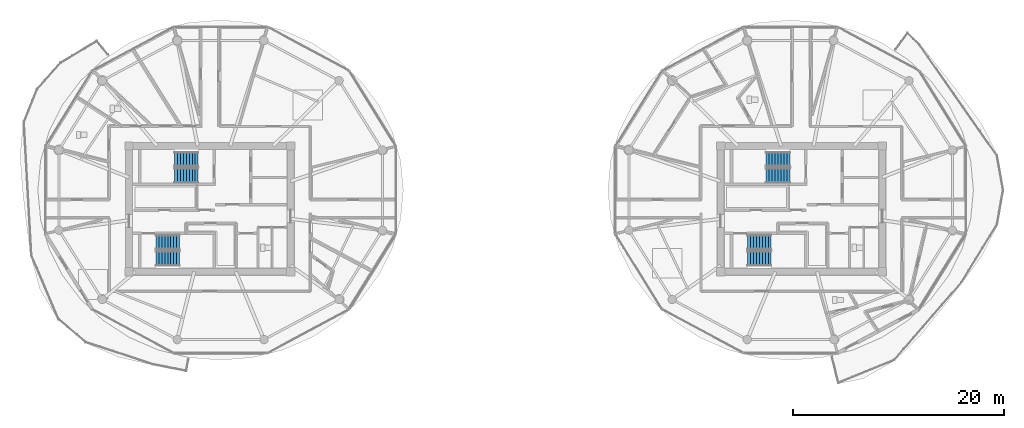
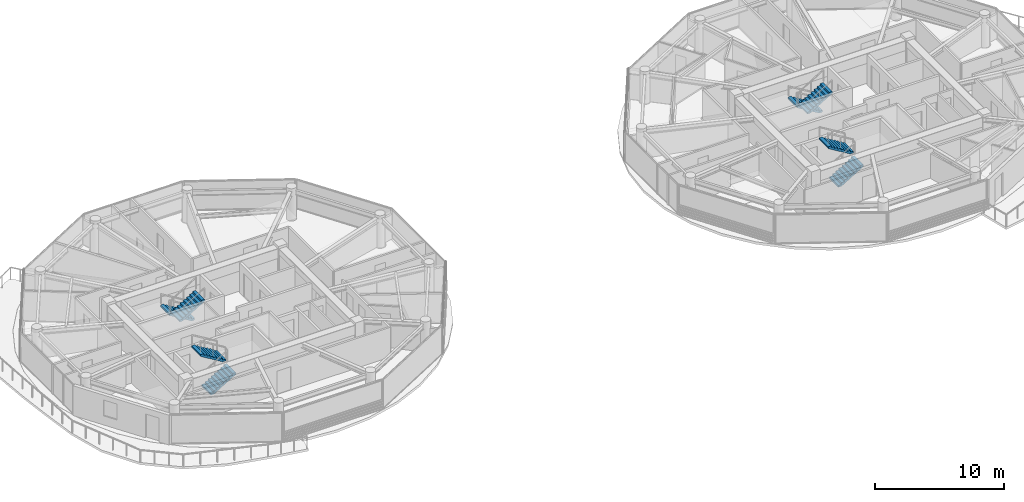
# One storey, part 18 of 25: 8 stair flights, 4 elements without a shape of their own.
"""IFC4 building model written with IfcOpenShell, lengths in metres."""

import ifcopenshell
import ifcopenshell.guid

model = None  # the IFC model being written
_history = None  # IfcOwnerHistory: only IFC2X3 demands one
_inside = {}  # id of a spatial element -> (the spatial element, [elements in it])
_under = {}  # id of a project, library or spatial element -> (it, [spatial elements below it])
_declared = {}  # id of a project -> (the project, [libraries it declares])
_typed = {}  # id of a type object -> (the type object, [elements of that type])
_made_of = {}  # id of a material, layer set ... -> (it, [elements and type objects made of it])


def new_model(schema):
    """Start an empty IFC model of exactly this schema.

    Asked for "IFC4X3", IfcOpenShell would pick the latest addendum, in which some entities
    have other attributes; the version numbers below select the first issue.
    IFC2X3 requires an IfcOwnerHistory on every rooted entity: one is made here for all.
    """
    global model, _history
    if schema == "IFC4X3":
        model = ifcopenshell.file(schema_version=(4, 3, 0, 0))
    else:
        model = ifcopenshell.file(schema=schema)
    _inside.clear()
    _under.clear()
    _declared.clear()
    _typed.clear()
    _made_of.clear()
    _history = None
    if model.schema == "IFC2X3":
        org = make("IfcOrganization", Name="unknown")
        user = make(
            "IfcPersonAndOrganization",
            ThePerson=make("IfcPerson", FamilyName="unknown"),
            TheOrganization=org,
        )
        app = make(
            "IfcApplication",
            ApplicationDeveloper=org,
            Version="unknown",
            ApplicationFullName="unknown",
            ApplicationIdentifier="unknown",
        )
        _history = make(
            "IfcOwnerHistory",
            OwningUser=user,
            OwningApplication=app,
            ChangeAction="ADDED",
            CreationDate=0,
        )
    return model


def make(cls, **values):
    """One entity of the class cls with the attributes given. An attribute that is None is left unset."""
    return model.create_entity(
        cls, **{name: value for name, value in values.items() if value is not None}
    )


def rooted(cls, **values):
    """An entity with a GlobalId (a new one), such as an element, a storey or a relation."""
    return make(cls, GlobalId=ifcopenshell.guid.new(), OwnerHistory=_history, **values)


def si_unit(unit_type, name, prefix=None):
    """IfcSIUnit, for example si_unit("LENGTHUNIT", "METRE", prefix="MILLI")."""
    return make("IfcSIUnit", UnitType=unit_type, Prefix=prefix, Name=name)


def assignment(units):
    """IfcUnitAssignment: the units of a project."""
    return None if units is None else make("IfcUnitAssignment", Units=units)


def point(xyz):
    """IfcCartesianPoint."""
    return None if xyz is None else make("IfcCartesianPoint", Coordinates=xyz)


def direction(xyz):
    """IfcDirection."""
    return None if xyz is None else make("IfcDirection", DirectionRatios=xyz)


def frame(location, z_axis=None, x_axis=None):
    """IfcAxis2Placement3D, a coordinate frame: its origin and axes. An axis left out is left unset."""
    return make(
        "IfcAxis2Placement3D",
        Location=point(location),
        Axis=direction(z_axis),
        RefDirection=direction(x_axis),
    )


def origin():
    """The frame at (0, 0, 0) with its axes left unset."""
    return frame((0.0, 0.0, 0.0))


def place(relative_to, where):
    """IfcLocalPlacement: puts the frame where relative to a parent placement (None: the world)."""
    return make(
        "IfcLocalPlacement", PlacementRelTo=relative_to, RelativePlacement=where
    )


def context(
    kind, dimensions, precision=None, world=None, true_north=None, identifier=None
):
    """IfcGeometricRepresentationContext, for example the 3D "Model" context."""
    return make(
        "IfcGeometricRepresentationContext",
        ContextIdentifier=identifier,
        ContextType=kind,
        CoordinateSpaceDimension=dimensions,
        Precision=precision,
        WorldCoordinateSystem=world,
        TrueNorth=true_north,
    )


def subcontext(parent, identifier, kind, view, scale=None):
    """IfcGeometricRepresentationSubContext, for example "Body" below "Model"."""
    return make(
        "IfcGeometricRepresentationSubContext",
        ContextIdentifier=identifier,
        ContextType=kind,
        ParentContext=parent,
        TargetScale=scale,
        TargetView=view,
    )


def project(units=None, contexts=None):
    """IfcProject with its units and contexts."""
    return rooted(
        "IfcProject",
        Name="project",
        RepresentationContexts=contexts,
        UnitsInContext=assignment(units),
    )


def spatial(cls, under=None, at=None, **own):
    """A site, building, storey or space (cls), placed at a placement, below another one or the project."""
    s = rooted(cls, ObjectPlacement=at, **own)
    if under is not None:
        _under.setdefault(under.id(), (under, []))[1].append(s)
    return s


def polyline(points):
    """IfcPolyline through the points."""
    return make("IfcPolyline", Points=[point(p) for p in points])


def outline(outer, holes=None, kind="AREA"):
    """IfcArbitraryClosedProfileDef: a profile drawn as a closed curve; with holes, ...WithVoids."""
    if holes is None:
        return make("IfcArbitraryClosedProfileDef", ProfileType=kind, OuterCurve=outer)
    return make(
        "IfcArbitraryProfileDefWithVoids",
        ProfileType=kind,
        OuterCurve=outer,
        InnerCurves=holes,
    )


def extrude(swept, where, along, depth):
    """IfcExtrudedAreaSolid: the profile swept, set in the frame where, extruded along a direction by depth."""
    return make(
        "IfcExtrudedAreaSolid",
        SweptArea=swept,
        Position=where,
        ExtrudedDirection=direction(along),
        Depth=depth,
    )


def shape(context_of_items, identifier, shape_type, items):
    """IfcShapeRepresentation: the items that make up one representation, for example the "Body"."""
    return make(
        "IfcShapeRepresentation",
        ContextOfItems=context_of_items,
        RepresentationIdentifier=identifier,
        RepresentationType=shape_type,
        Items=items,
    )


def material(Name=None, Category=None):
    """IfcMaterial."""
    return make("IfcMaterial", Name=Name, Category=Category)


def made_of(thing, what):
    """Note that an element or type object is made of a material, layer set ...; save() writes the relation."""
    if what is not None:
        _made_of.setdefault(what.id(), (what, []))[1].append(thing)
    return thing


def type_object(cls, material=None, **own):
    """A type object (cls), such as IfcWallType, which elements share."""
    return made_of(rooted(cls, **own), material)


def element(
    cls,
    number,
    at=None,
    inside=None,
    cuts=None,
    type_object=None,
    material=None,
    context=None,
    identifier="Body",
    shape_type=None,
    held_by="IfcProductDefinitionShape",
    body=None,
    shapes=None,
    **own,
):
    """One element of the class cls, such as IfcWall. Its Tag is "e" and its number.

    at: its placement. inside: the storey or other place that contains it. cuts: it is an
    opening in that element (IfcRelVoidsElement). A single representation is given by context,
    identifier, shape_type and body (its items); several are given by shapes. held_by: the class
    of the entity that holds the representations. save() writes the other relations.
    """
    e = rooted(cls, Tag="e%d" % number, ObjectPlacement=at, **own)
    if body is not None:
        shapes = [shape(context, identifier, shape_type, body)]
    if shapes is not None:
        e.Representation = make(held_by, Representations=shapes)
    if inside is not None:
        _inside.setdefault(inside.id(), (inside, []))[1].append(e)
    if cuts is not None:
        rooted(
            "IfcRelVoidsElement", RelatingBuildingElement=cuts, RelatedOpeningElement=e
        )
    if type_object is not None:
        _typed.setdefault(type_object.id(), (type_object, []))[1].append(e)
    return made_of(e, material)


def aggregate(whole, parts):
    """IfcRelAggregates: a whole, such as a stair, and the parts it consists of."""
    return rooted("IfcRelAggregates", RelatingObject=whole, RelatedObjects=parts)


def save(model, path):
    """Write the relations noted so far, then the file.

    IfcRelAggregates (storeys below a building ...), IfcRelContainedInSpatialStructure (elements
    in a storey), IfcRelDefinesByType, IfcRelAssociatesMaterial and IfcRelDeclares: one each for
    every whole, place, type object, material and project.
    """
    for whole, parts in _under.values():
        aggregate(whole, parts)
    for where, things in _inside.values():
        rooted(
            "IfcRelContainedInSpatialStructure",
            RelatedElements=things,
            RelatingStructure=where,
        )
    for kind, things in _typed.values():
        rooted("IfcRelDefinesByType", RelatedObjects=things, RelatingType=kind)
    for what, things in _made_of.values():
        rooted("IfcRelAssociatesMaterial", RelatedObjects=things, RelatingMaterial=what)
    for by, libraries in _declared.values():
        rooted("IfcRelDeclares", RelatingContext=by, RelatedDefinitions=libraries)
    model.write(path)


model = new_model("IFC4")

# Units and contexts
model_context = context("Model", 3, precision=1e-05, world=origin(), true_north=direction((0.0, 1.0)))
body_context = subcontext(model_context, "Body", "Model", "MODEL_VIEW")
ifc_project = project(units=[si_unit("LENGTHUNIT", "METRE"), si_unit("AREAUNIT", "SQUARE_METRE"), si_unit("VOLUMEUNIT", "CUBIC_METRE"), si_unit("PLANEANGLEUNIT", "RADIAN"), si_unit("MASSUNIT", "GRAM", prefix="KILO")], contexts=[model_context])

# Site, building, storey
site_placement = place(None, origin())
site = spatial("IfcSite", under=ifc_project, at=site_placement, CompositionType="ELEMENT")
building_placement = place(site_placement, origin())
building = spatial("IfcBuilding", under=site, at=building_placement, Name="Norrkilde Senior Care Towers", CompositionType="ELEMENT")
storey_placement = place(building_placement, frame((0.0, 0.0, 161.75)))
storey = spatial("IfcBuildingStorey", under=building, at=storey_placement, Name="L50", CompositionType="ELEMENT", Elevation=161.75)

# Stair, stair flights
ifc_material = material(Name="Concrete C45/55", Category="concrete")
stair_type = type_object("IfcStairType", Name="Core Protected Dogleg Stair Typical 3050", PredefinedType="HALF_TURN_STAIR", material=ifc_material)
stair_1_placement = place(storey_placement, origin())
stair_1 = element("IfcStair", 1, at=stair_1_placement, inside=storey, type_object=stair_type, Name="L50 Protected Core Stair W1", PredefinedType="HALF_TURN_STAIR")
stair_flight_type = type_object("IfcStairFlightType", Name="Core Protected Dogleg Stair Typical 3050 Flight", PredefinedType="STRAIGHT", material=ifc_material)
stair_flight_1_placement = place(storey_placement, frame((-29.10009765625, 4.699951171875, 0.0), z_axis=(0.0, 0.0, 1.0), x_axis=(-1.0, 0.0, 0.0)))
stair_flight_1 = element("IfcStairFlight", 2, at=stair_flight_1_placement, type_object=stair_flight_type, Name="ST-W1 flight 1", NumberOfRisers=9, NumberOfTreads=8, PredefinedType="STRAIGHT", RiserHeight=0.169444444, TreadLength=0.28, context=body_context, shape_type="SweptSolid", body=[
    extrude(outline(polyline([(0.0, 0.0), (0.0, 0.16943359375), (0.280029296875, 0.16943359375), (0.280029296875, 0.3388671875), (0.56005859375, 0.3388671875), (0.56005859375, 0.50830078125), (0.840087890625, 0.50830078125), (0.840087890625, 0.677734375), (1.1201171875, 0.677734375), (1.1201171875, 0.84716796875), (1.39990234375, 0.84716796875), (1.39990234375, 1.0166015625), (1.679931640625, 1.0166015625), (1.679931640625, 1.18603515625), (1.9599609375, 1.18603515625), (1.9599609375, 1.35546875), (2.239990234375, 1.35546875), (2.239990234375, 1.52490234375), (2.239990234375, 1.180419921875), (0.28955078125, 0.0), (0.0, 0.0)])), frame((0.0, 0.699951171875, 0.0), z_axis=(0.0, -1.0, 0.0), x_axis=(1.0, 0.0, 0.0)), (0.0, 0.0, 1.0), 1.39990234375),
])
stair_flight_2_placement = place(storey_placement, frame((-31.340087890625, 3.14990234375, 1.52490234375), z_axis=(0.0, 0.0, 1.0), x_axis=(1.0, 0.0, 0.0)))
stair_flight_2 = element("IfcStairFlight", 3, at=stair_flight_2_placement, type_object=stair_flight_type, Name="ST-W1 flight 2", NumberOfRisers=9, NumberOfTreads=8, PredefinedType="STRAIGHT", RiserHeight=0.169444444, TreadLength=0.28, context=body_context, shape_type="SweptSolid", body=[
    extrude(outline(polyline([(0.0, 0.0), (0.0, 0.16943359375), (0.280029296875, 0.16943359375), (0.280029296875, 0.3388671875), (0.56005859375, 0.3388671875), (0.56005859375, 0.50830078125), (0.840087890625, 0.50830078125), (0.840087890625, 0.677734375), (1.1201171875, 0.677734375), (1.1201171875, 0.84716796875), (1.39990234375, 0.84716796875), (1.39990234375, 1.0166015625), (1.679931640625, 1.0166015625), (1.679931640625, 1.18603515625), (1.9599609375, 1.18603515625), (1.9599609375, 1.35546875), (2.239990234375, 1.35546875), (2.239990234375, 1.52490234375), (2.239990234375, 1.180419921875), (0.28955078125, 0.0), (0.0, 0.0)])), frame((0.0, 0.699951171875, 0.0), z_axis=(0.0, -1.0, 0.0), x_axis=(1.0, 0.0, 0.0)), (0.0, 0.0, 1.0), 1.39990234375),
])
aggregate(stair_1, [stair_flight_1, stair_flight_2])

stair_2_placement = place(storey_placement, origin())
stair_2 = element("IfcStair", 4, at=stair_2_placement, inside=storey, type_object=stair_type, Name="L50 Protected Core Stair W2", PredefinedType="HALF_TURN_STAIR")
stair_flight_3_placement = place(storey_placement, frame((-33.10009765625, -4.699951171875, 0.0), z_axis=(0.0, 0.0, 1.0), x_axis=(1.0, 0.0, 0.0)))
stair_flight_3 = element("IfcStairFlight", 5, at=stair_flight_3_placement, type_object=stair_flight_type, Name="ST-W2 flight 1", NumberOfRisers=9, NumberOfTreads=8, PredefinedType="STRAIGHT", RiserHeight=0.169444444, TreadLength=0.28, context=body_context, shape_type="SweptSolid", body=[
    extrude(outline(polyline([(0.0, 0.0), (0.0, 0.16943359375), (0.280029296875, 0.16943359375), (0.280029296875, 0.3388671875), (0.56005859375, 0.3388671875), (0.56005859375, 0.50830078125), (0.840087890625, 0.50830078125), (0.840087890625, 0.677734375), (1.1201171875, 0.677734375), (1.1201171875, 0.84716796875), (1.39990234375, 0.84716796875), (1.39990234375, 1.0166015625), (1.679931640625, 1.0166015625), (1.679931640625, 1.18603515625), (1.9599609375, 1.18603515625), (1.9599609375, 1.35546875), (2.239990234375, 1.35546875), (2.239990234375, 1.52490234375), (2.239990234375, 1.180419921875), (0.28955078125, 0.0), (0.0, 0.0)])), frame((0.0, 0.699951171875, 0.0), z_axis=(0.0, -1.0, 0.0), x_axis=(1.0, 0.0, 0.0)), (0.0, 0.0, 1.0), 1.39990234375),
])
stair_flight_4_placement = place(storey_placement, frame((-30.860107421875, -3.14990234375, 1.52490234375), z_axis=(0.0, 0.0, 1.0), x_axis=(-1.0, 0.0, 0.0)))
stair_flight_4 = element("IfcStairFlight", 6, at=stair_flight_4_placement, type_object=stair_flight_type, Name="ST-W2 flight 2", NumberOfRisers=9, NumberOfTreads=8, PredefinedType="STRAIGHT", RiserHeight=0.169444444, TreadLength=0.28, context=body_context, shape_type="SweptSolid", body=[
    extrude(outline(polyline([(0.0, 0.0), (0.0, 0.16943359375), (0.280029296875, 0.16943359375), (0.280029296875, 0.3388671875), (0.56005859375, 0.3388671875), (0.56005859375, 0.50830078125), (0.840087890625, 0.50830078125), (0.840087890625, 0.677734375), (1.1201171875, 0.677734375), (1.1201171875, 0.84716796875), (1.39990234375, 0.84716796875), (1.39990234375, 1.0166015625), (1.679931640625, 1.0166015625), (1.679931640625, 1.18603515625), (1.9599609375, 1.18603515625), (1.9599609375, 1.35546875), (2.239990234375, 1.35546875), (2.239990234375, 1.52490234375), (2.239990234375, 1.180419921875), (0.28955078125, 0.0), (0.0, 0.0)])), frame((0.0, 0.699951171875, 0.0), z_axis=(0.0, -1.0, 0.0), x_axis=(1.0, 0.0, 0.0)), (0.0, 0.0, 1.0), 1.39990234375),
])
aggregate(stair_2, [stair_flight_3, stair_flight_4])

stair_3_placement = place(storey_placement, origin())
stair_3 = element("IfcStair", 7, at=stair_3_placement, inside=storey, type_object=stair_type, Name="L50 Protected Core Stair E1", PredefinedType="HALF_TURN_STAIR")
stair_flight_5_placement = place(storey_placement, frame((26.89990234375, 4.699951171875, 0.0), z_axis=(0.0, 0.0, 1.0), x_axis=(-1.0, 0.0, 0.0)))
stair_flight_5 = element("IfcStairFlight", 8, at=stair_flight_5_placement, type_object=stair_flight_type, Name="ST-E1 flight 1", NumberOfRisers=9, NumberOfTreads=8, PredefinedType="STRAIGHT", RiserHeight=0.169444444, TreadLength=0.28, context=body_context, shape_type="SweptSolid", body=[
    extrude(outline(polyline([(0.0, 0.0), (0.0, 0.16943359375), (0.280029296875, 0.16943359375), (0.280029296875, 0.3388671875), (0.56005859375, 0.3388671875), (0.56005859375, 0.50830078125), (0.840087890625, 0.50830078125), (0.840087890625, 0.677734375), (1.1201171875, 0.677734375), (1.1201171875, 0.84716796875), (1.39990234375, 0.84716796875), (1.39990234375, 1.0166015625), (1.679931640625, 1.0166015625), (1.679931640625, 1.18603515625), (1.9599609375, 1.18603515625), (1.9599609375, 1.35546875), (2.239990234375, 1.35546875), (2.239990234375, 1.52490234375), (2.239990234375, 1.180419921875), (0.28955078125, 0.0), (0.0, 0.0)])), frame((0.0, 0.699951171875, 0.0), z_axis=(0.0, -1.0, 0.0), x_axis=(1.0, 0.0, 0.0)), (0.0, 0.0, 1.0), 1.39990234375),
])
stair_flight_6_placement = place(storey_placement, frame((24.659912109375, 3.14990234375, 1.52490234375), z_axis=(0.0, 0.0, 1.0), x_axis=(1.0, 0.0, 0.0)))
stair_flight_6 = element("IfcStairFlight", 9, at=stair_flight_6_placement, type_object=stair_flight_type, Name="ST-E1 flight 2", NumberOfRisers=9, NumberOfTreads=8, PredefinedType="STRAIGHT", RiserHeight=0.169444444, TreadLength=0.28, context=body_context, shape_type="SweptSolid", body=[
    extrude(outline(polyline([(0.0, 0.0), (0.0, 0.16943359375), (0.280029296875, 0.16943359375), (0.280029296875, 0.3388671875), (0.56005859375, 0.3388671875), (0.56005859375, 0.50830078125), (0.840087890625, 0.50830078125), (0.840087890625, 0.677734375), (1.1201171875, 0.677734375), (1.1201171875, 0.84716796875), (1.39990234375, 0.84716796875), (1.39990234375, 1.0166015625), (1.679931640625, 1.0166015625), (1.679931640625, 1.18603515625), (1.9599609375, 1.18603515625), (1.9599609375, 1.35546875), (2.239990234375, 1.35546875), (2.239990234375, 1.52490234375), (2.239990234375, 1.180419921875), (0.28955078125, 0.0), (0.0, 0.0)])), frame((0.0, 0.699951171875, 0.0), z_axis=(0.0, -1.0, 0.0), x_axis=(1.0, 0.0, 0.0)), (0.0, 0.0, 1.0), 1.39990234375),
])
aggregate(stair_3, [stair_flight_5, stair_flight_6])

stair_4_placement = place(storey_placement, origin())
stair_4 = element("IfcStair", 10, at=stair_4_placement, inside=storey, type_object=stair_type, Name="L50 Protected Core Stair E2", PredefinedType="HALF_TURN_STAIR")
stair_flight_7_placement = place(storey_placement, frame((22.89990234375, -4.699951171875, 0.0), z_axis=(0.0, 0.0, 1.0), x_axis=(1.0, 0.0, 0.0)))
stair_flight_7 = element("IfcStairFlight", 11, at=stair_flight_7_placement, type_object=stair_flight_type, Name="ST-E2 flight 1", NumberOfRisers=9, NumberOfTreads=8, PredefinedType="STRAIGHT", RiserHeight=0.169444444, TreadLength=0.28, context=body_context, shape_type="SweptSolid", body=[
    extrude(outline(polyline([(0.0, 0.0), (0.0, 0.16943359375), (0.280029296875, 0.16943359375), (0.280029296875, 0.3388671875), (0.56005859375, 0.3388671875), (0.56005859375, 0.50830078125), (0.840087890625, 0.50830078125), (0.840087890625, 0.677734375), (1.1201171875, 0.677734375), (1.1201171875, 0.84716796875), (1.39990234375, 0.84716796875), (1.39990234375, 1.0166015625), (1.679931640625, 1.0166015625), (1.679931640625, 1.18603515625), (1.9599609375, 1.18603515625), (1.9599609375, 1.35546875), (2.239990234375, 1.35546875), (2.239990234375, 1.52490234375), (2.239990234375, 1.180419921875), (0.28955078125, 0.0), (0.0, 0.0)])), frame((0.0, 0.699951171875, 0.0), z_axis=(0.0, -1.0, 0.0), x_axis=(1.0, 0.0, 0.0)), (0.0, 0.0, 1.0), 1.39990234375),
])
stair_flight_8_placement = place(storey_placement, frame((25.139892578125, -3.14990234375, 1.52490234375), z_axis=(0.0, 0.0, 1.0), x_axis=(-1.0, 0.0, 0.0)))
stair_flight_8 = element("IfcStairFlight", 12, at=stair_flight_8_placement, type_object=stair_flight_type, Name="ST-E2 flight 2", NumberOfRisers=9, NumberOfTreads=8, PredefinedType="STRAIGHT", RiserHeight=0.169444444, TreadLength=0.28, context=body_context, shape_type="SweptSolid", body=[
    extrude(outline(polyline([(0.0, 0.0), (0.0, 0.16943359375), (0.280029296875, 0.16943359375), (0.280029296875, 0.3388671875), (0.56005859375, 0.3388671875), (0.56005859375, 0.50830078125), (0.840087890625, 0.50830078125), (0.840087890625, 0.677734375), (1.1201171875, 0.677734375), (1.1201171875, 0.84716796875), (1.39990234375, 0.84716796875), (1.39990234375, 1.0166015625), (1.679931640625, 1.0166015625), (1.679931640625, 1.18603515625), (1.9599609375, 1.18603515625), (1.9599609375, 1.35546875), (2.239990234375, 1.35546875), (2.239990234375, 1.52490234375), (2.239990234375, 1.180419921875), (0.28955078125, 0.0), (0.0, 0.0)])), frame((0.0, 0.699951171875, 0.0), z_axis=(0.0, -1.0, 0.0), x_axis=(1.0, 0.0, 0.0)), (0.0, 0.0, 1.0), 1.39990234375),
])
aggregate(stair_4, [stair_flight_7, stair_flight_8])

save(model, "model.ifc")
